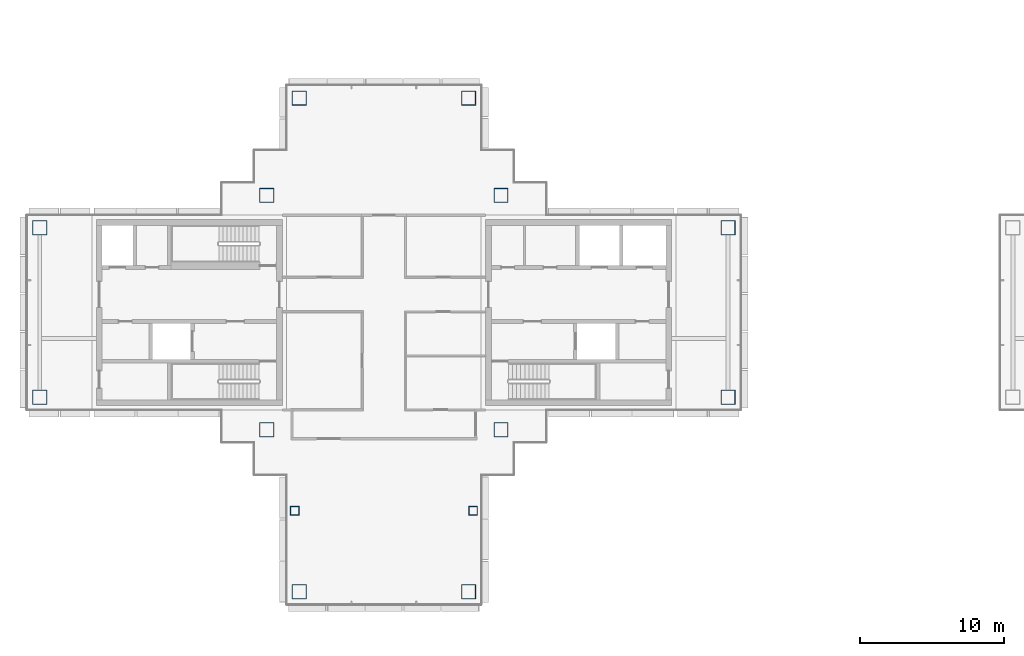
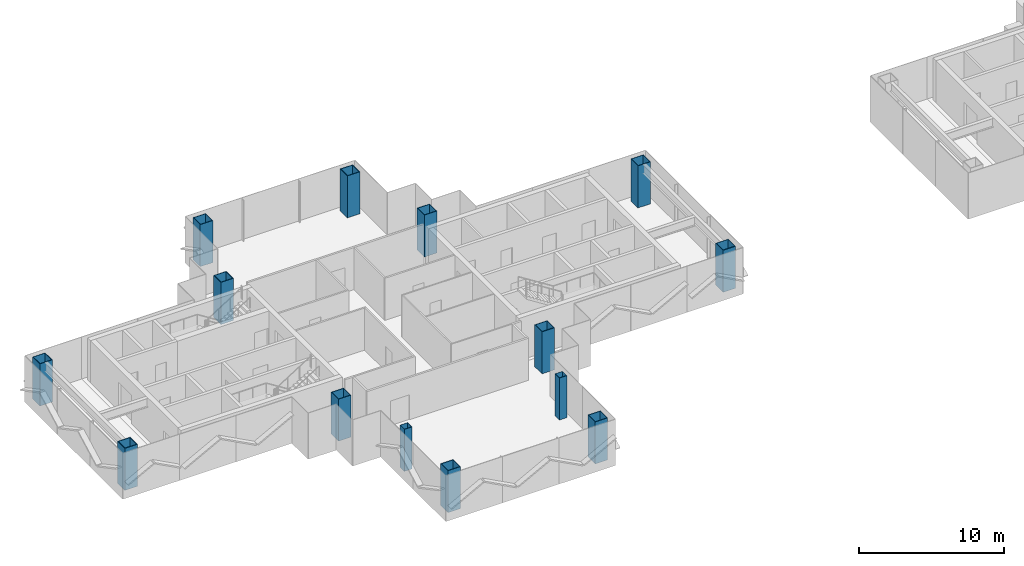
# One storey, part 1 of 17: 14 columns.
"""IFC4 building model written with IfcOpenShell, lengths in metres."""

from ifc_helpers import new_model, si_unit, direction, frame, origin, origin_2d, place, context, subcontext, project, spatial, hollow_rectangle, extrude, material, material_profile, profile_set, type_object, element, save


model = new_model("IFC4")

# Units and contexts
model_context = context("Model", 3, precision=1e-05, world=origin(), true_north=direction((0.0, 1.0)))
body_context = subcontext(model_context, "Body", "Model", "MODEL_VIEW")
ifc_project = project(units=[si_unit("LENGTHUNIT", "METRE"), si_unit("AREAUNIT", "SQUARE_METRE"), si_unit("VOLUMEUNIT", "CUBIC_METRE"), si_unit("PLANEANGLEUNIT", "RADIAN"), si_unit("MASSUNIT", "GRAM", prefix="KILO")], contexts=[model_context])

# Site, building, storey
site_placement = place(None, origin())
site = spatial("IfcSite", under=ifc_project, at=site_placement, CompositionType="ELEMENT")
building_placement = place(site_placement, origin())
building = spatial("IfcBuilding", under=site, at=building_placement, Name="Shamsa Quay Exchange Towers", CompositionType="ELEMENT")
storey_placement = place(building_placement, frame((0.0, 0.0, 198.300048828125)))
storey = spatial("IfcBuildingStorey", under=building, at=storey_placement, Name="L47", CompositionType="ELEMENT", Elevation=198.300048828125)

# Columns
ifc_material_1 = material(Name="Concrete-filled steel tube S355 / C80/95", Category="concrete")
ifc_material_profile_1 = material_profile(ifc_material_1, hollow_rectangle(XDim=1.0, YDim=1.0, WallThickness=0.0400390625, at=origin_2d()), Name="CFT 1000x1000x40")
ifc_profile_set_1 = profile_set([ifc_material_profile_1], Name="Concrete-filled steel tube S355 / C80/95")
column_type_1 = type_object("IfcColumnType", Name="Column CFT 1000x1000x40", PredefinedType="COLUMN", material=ifc_profile_set_1)
for number, where, name in (
    (1, (-25.625, 8.125, 0.0), "Mega column T1-CM01"),
    (2, (-25.625, -8.125, 0.0), "Mega column T1-CM02"),
    (3, (-41.875, 8.125, 0.0), "Mega column T1-CM03"),
    (4, (-41.875, -8.125, 0.0), "Mega column T1-CM04"),
    (5, (-9.875, -5.875, 0.0), "Mega column T1-CM05"),
    (6, (-9.875, 5.875, 0.0), "Mega column T1-CM07"),
    (7, (-57.625, -5.875, 0.0), "Mega column T1-CM09"),
    (8, (-57.625, 5.875, 0.0), "Mega column T1-CM11"),
    (9, (-39.625, 14.875, 0.0), "Mega column T1-CM13"),
    (10, (-27.875, 14.875, 0.0), "Mega column T1-CM16"),
    (11, (-39.625, -19.375, 0.0), "Mega column T1-CM20"),
    (12, (-27.875, -19.375, 0.0), "Mega column T1-CM23"),
):
    element("IfcColumn", number, at=place(storey_placement, frame(where)), inside=storey, type_object=column_type_1, Name=name, PredefinedType="COLUMN", context=body_context, shape_type="SweptSolid", body=[
        extrude(hollow_rectangle(XDim=1.0, YDim=1.0, WallThickness=0.0400390625, at=origin_2d()), origin(), (0.0, 0.0, 1.0), 3.550048828125),
    ])
ifc_material_2 = material(Name="Concrete-filled steel tube S355 / C60/75", Category="concrete")
ifc_material_profile_2 = material_profile(ifc_material_2, hollow_rectangle(XDim=0.60009765625, YDim=0.60009765625, WallThickness=0.02001953125, at=origin_2d()), Name="CFT 600x600x20")
ifc_profile_set_2 = profile_set([ifc_material_profile_2], Name="Concrete-filled steel tube S355 / C60/75")
column_type_2 = type_object("IfcColumnType", Name="Column CFT 600x600x20", PredefinedType="COLUMN", material=ifc_profile_set_2)
for number, where, name in (
    (13, (-39.9375, -13.75, 0.0), "Perimeter column T1-CP19"),
    (14, (-27.5625, -13.75, 0.0), "Perimeter column T1-CP22"),
):
    element("IfcColumn", number, at=place(storey_placement, frame(where)), inside=storey, type_object=column_type_2, Name=name, PredefinedType="COLUMN", context=body_context, shape_type="SweptSolid", body=[
        extrude(hollow_rectangle(XDim=0.60009765625, YDim=0.60009765625, WallThickness=0.02001953125, at=origin_2d()), origin(), (0.0, 0.0, 1.0), 3.550048828125),
    ])

save(model, "model.ifc")
